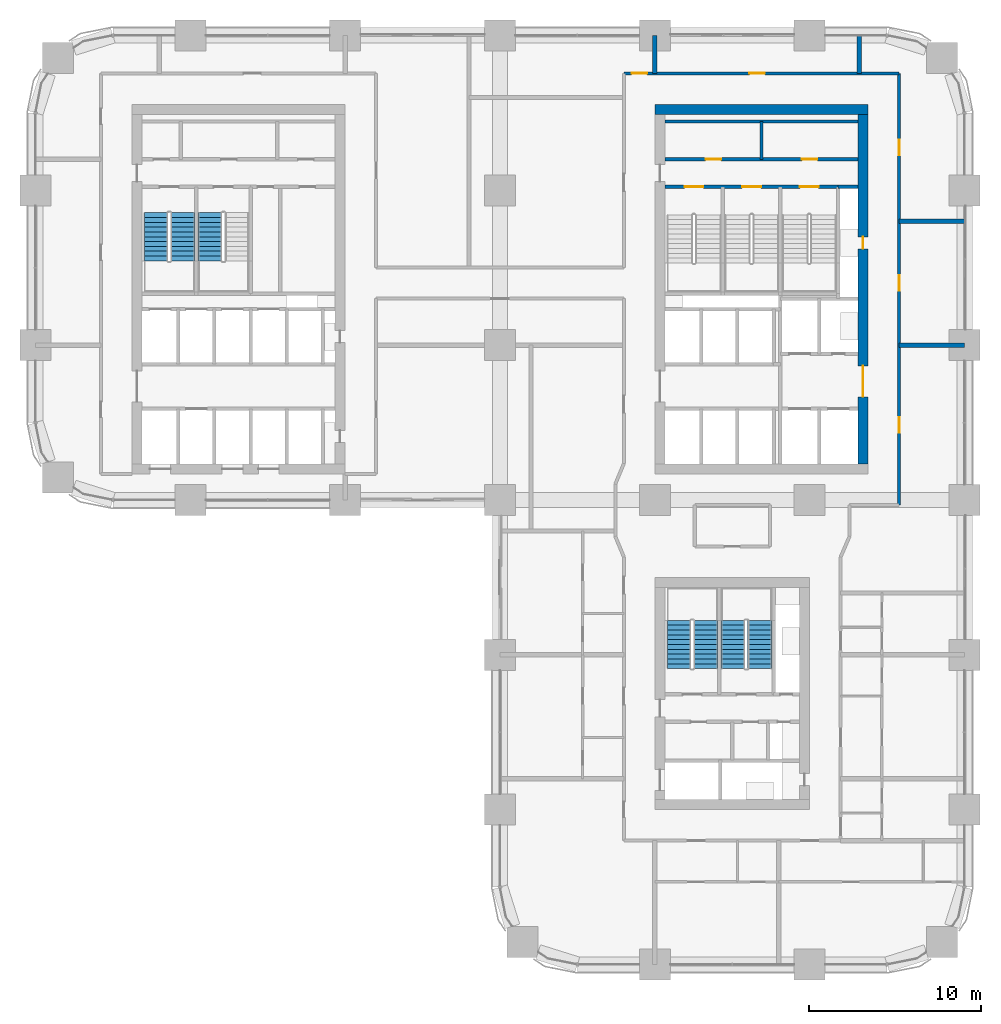
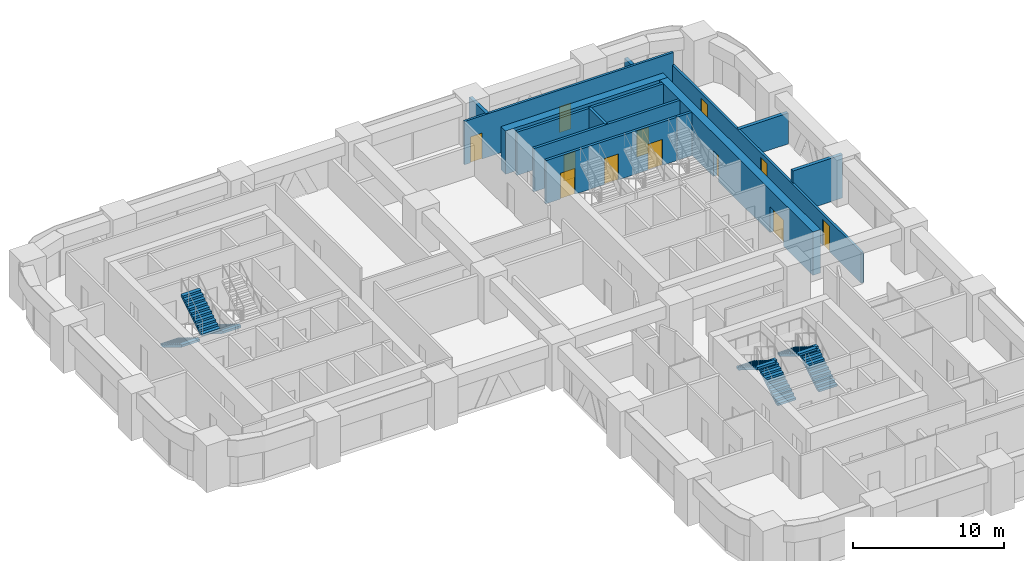
# One storey, part 17 of 24: 13 walls, 12 doors, 7 stair flights, 12 openings, 4 elements without a shape of their own.
"""IFC4 building model written with IfcOpenShell, lengths in metres."""

from ifc_helpers import new_model, si_unit, direction, frame, frame_2d, origin, place, context, subcontext, project, spatial, polyline, rectangle, outline, extrude, material, layer, layer_set, type_object, element, fill, aggregate, save


model = new_model("IFC4")

# Units and contexts
model_context = context("Model", 3, precision=1e-05, world=origin(), true_north=direction((0.0, 1.0)))
body_context = subcontext(model_context, "Body", "Model", "MODEL_VIEW")
ifc_project = project(units=[si_unit("LENGTHUNIT", "METRE"), si_unit("AREAUNIT", "SQUARE_METRE"), si_unit("VOLUMEUNIT", "CUBIC_METRE"), si_unit("PLANEANGLEUNIT", "RADIAN"), si_unit("MASSUNIT", "GRAM", prefix="KILO")], contexts=[model_context])

# Site, building, storey
site_placement = place(None, origin())
site = spatial("IfcSite", under=ifc_project, at=site_placement, CompositionType="ELEMENT")
building_placement = place(site_placement, origin())
building = spatial("IfcBuilding", under=site, at=building_placement, Name="Tessera Arch", CompositionType="ELEMENT")
storey_placement = place(building_placement, frame((0.0, 0.0, 112.0)))
storey = spatial("IfcBuildingStorey", under=building, at=storey_placement, Name="L26", CompositionType="ELEMENT", Elevation=112.0)

# Wall
ifc_material_1 = material(Name="Gypsum board on steel stud", Category="steel")
ifc_layer_1 = layer(ifc_material_1, 0.125)
ifc_layer_set_1 = layer_set([ifc_layer_1], Name="Core partition 125 EI 60")
wall_type_1 = type_object("IfcWallType", Name="Core partition 125 EI 60", PredefinedType="PARTITIONING", material=ifc_layer_set_1)
wall_1_placement = place(storey_placement, frame((42.199951171875, 46.800048828125, 0.0), z_axis=(0.0, 0.0, 1.0), x_axis=(0.0, 1.0, 0.0)))
element("IfcWall", 1, at=wall_1_placement, inside=storey, type_object=wall_type_1, Name="L26 C1 partition wall 7", PredefinedType="PARTITIONING", context=body_context, shape_type="SweptSolid", body=[
    extrude(rectangle(XDim=2.199951171875, YDim=0.199951171875, at=frame_2d((1.10009765625, 0.0))), origin(), (0.0, 0.0, 1.0), 3.5),
])

# Wall, openings, doors
wall_2_placement = place(storey_placement, frame((36.60009765625, 46.800048828125, 0.0), z_axis=(0.0, 0.0, 1.0), x_axis=(1.0, 0.0, 0.0)))
wall_2 = element("IfcWall", 2, at=wall_2_placement, inside=storey, type_object=wall_type_1, Name="L26 C1 partition wall 31", PredefinedType="PARTITIONING", context=body_context, shape_type="SweptSolid", body=[
    extrude(rectangle(XDim=11.199951171875, YDim=0.199951171875, at=frame_2d((5.60009765625, 0.0))), origin(), (0.0, 0.0, 1.0), 3.5),
])
opening_1_placement = place(wall_2_placement, frame((2.35009765625, 0.0, 0.0)))
opening_1 = element("IfcOpeningElement", 3, at=opening_1_placement, cuts=wall_2, Name="Opening L26-C12", PredefinedType="OPENING", context=body_context, shape_type="SweptSolid", body=[
    extrude(rectangle(XDim=0.89990234375, YDim=2.10009765625, at=frame_2d((0.449951171875, 1.050048828125))), frame((0.0, 0.10986328125, 0.0), z_axis=(0.0, -1.0, 0.0), x_axis=(1.0, 0.0, 0.0)), (0.0, 0.0, 1.0), 0.219970703125),
])
opening_2_placement = place(wall_2_placement, frame((7.949951171875, 0.0, 0.0)))
opening_2 = element("IfcOpeningElement", 4, at=opening_2_placement, cuts=wall_2, Name="Opening L26-C13", PredefinedType="OPENING", context=body_context, shape_type="SweptSolid", body=[
    extrude(rectangle(XDim=0.89990234375, YDim=2.10009765625, at=frame_2d((0.449951171875, 1.050048828125))), frame((0.0, 0.10986328125, 0.0), z_axis=(0.0, -1.0, 0.0), x_axis=(1.0, 0.0, 0.0)), (0.0, 0.0, 1.0), 0.219970703125),
])
ifc_material_2 = material(Name="Steel door leaf", Category="steel")
door_type_1 = type_object("IfcDoorType", Name="Store door FD30S 900 x 2100", OperationType="SINGLE_SWING_LEFT", PredefinedType="DOOR", material=ifc_material_2)
door_1_placement = place(opening_1_placement, origin())
door_1 = element("IfcDoor", 5, at=door_1_placement, inside=storey, type_object=door_type_1, Name="L26 C1 door 12 C12 type D09", OperationType="SINGLE_SWING_LEFT", OverallHeight=2.10009765625, OverallWidth=0.89990234375, PredefinedType="DOOR", context=body_context, shape_type="SweptSolid", body=[
    extrude(rectangle(XDim=0.89990234375, YDim=2.10009765625, at=frame_2d((0.449951171875, 1.050048828125))), frame((0.0, 0.02490234375, 0.0), z_axis=(0.0, -1.0, 0.0), x_axis=(1.0, 0.0, 0.0)), (0.0, 0.0, 1.0), 0.050048828125),
])
fill(opening_1, door_1)
door_2_placement = place(opening_2_placement, origin())
door_2 = element("IfcDoor", 6, at=door_2_placement, inside=storey, type_object=door_type_1, Name="L26 C1 door 13 C13 type D09", OperationType="SINGLE_SWING_RIGHT", OverallHeight=2.10009765625, OverallWidth=0.89990234375, PredefinedType="DOOR", context=body_context, shape_type="SweptSolid", body=[
    extrude(rectangle(XDim=0.89990234375, YDim=2.10009765625, at=frame_2d((0.449951171875, 1.050048828125))), frame((0.0, 0.02490234375, 0.0), z_axis=(0.0, -1.0, 0.0), x_axis=(1.0, 0.0, 0.0)), (0.0, 0.0, 1.0), 0.050048828125),
])
fill(opening_2, door_2)

# Walls
wall_3_placement = place(storey_placement, frame((36.60009765625, 49.0, 0.0), z_axis=(0.0, 0.0, 1.0), x_axis=(1.0, 0.0, 0.0)))
element("IfcWall", 7, at=wall_3_placement, inside=storey, type_object=wall_type_1, Name="L26 C1 partition wall 32", PredefinedType="PARTITIONING", context=body_context, shape_type="SweptSolid", body=[
    extrude(rectangle(XDim=11.199951171875, YDim=0.199951171875, at=frame_2d((5.60009765625, 0.0))), origin(), (0.0, 0.0, 1.0), 3.5),
])
ifc_material_3 = material(Name="Concrete C70/85", Category="concrete")
ifc_layer_2 = layer(ifc_material_3, 0.60009765625)
ifc_layer_set_2 = layer_set([ifc_layer_2], Name="Core shell wall 600 C70-85")
wall_type_2 = type_object("IfcWallType", Name="Core shell wall 600 C70-85", PredefinedType="SHEAR", material=ifc_layer_set_2)
wall_4_placement = place(storey_placement, frame((36.0, 49.699951171875, 0.0), z_axis=(0.0, 0.0, 1.0), x_axis=(1.0, 0.0, 0.0)))
element("IfcWall", 8, at=wall_4_placement, inside=storey, type_object=wall_type_2, Name="L26 C1 core wall N", PredefinedType="SHEAR", context=body_context, shape_type="SweptSolid", body=[
    extrude(rectangle(XDim=12.39990234375, YDim=0.60009765625, at=frame_2d((6.199951171875, 0.0))), origin(), (0.0, 0.0, 1.0), 3.5),
])

# Wall, openings, doors
wall_5_placement = place(storey_placement, frame((48.10009765625, 29.10009765625, 0.0), z_axis=(0.0, 0.0, 1.0), x_axis=(0.0, 1.0, 0.0)))
wall_5 = element("IfcWall", 9, at=wall_5_placement, inside=storey, type_object=wall_type_2, Name="L26 C1 core wall E", PredefinedType="SHEAR", context=body_context, shape_type="SweptSolid", body=[
    extrude(rectangle(XDim=20.2998046875, YDim=0.60009765625, at=frame_2d((10.14990234375, 0.0))), origin(), (0.0, 0.0, 1.0), 3.5),
])
opening_3_placement = place(wall_5_placement, frame((12.5, 0.0, 0.0)))
opening_3 = element("IfcOpeningElement", 10, at=opening_3_placement, cuts=wall_5, Name="Opening L26-C08", PredefinedType="OPENING", context=body_context, shape_type="SweptSolid", body=[
    extrude(rectangle(XDim=0.699951171875, YDim=2.10009765625, at=frame_2d((0.35009765625, 1.050048828125))), frame((0.0, 0.31005859375, 0.0), z_axis=(0.0, -1.0, 0.0), x_axis=(1.0, 0.0, 0.0)), (0.0, 0.0, 1.0), 0.6201171875),
])
opening_4_placement = place(wall_5_placement, frame((3.89990234375, 0.0, 0.0)))
opening_4 = element("IfcOpeningElement", 11, at=opening_4_placement, cuts=wall_5, Name="Opening L26-C09", PredefinedType="OPENING", context=body_context, shape_type="SweptSolid", body=[
    extrude(rectangle(XDim=1.800048828125, YDim=2.10009765625, at=frame_2d((0.89990234375, 1.050048828125))), frame((0.0, 0.31005859375, 0.0), z_axis=(0.0, -1.0, 0.0), x_axis=(1.0, 0.0, 0.0)), (0.0, 0.0, 1.0), 0.6201171875),
])
ifc_material_4 = material(Name="Glazed steel door leaf", Category="steel")
door_type_2 = type_object("IfcDoorType", Name="Lobby double door FD60 1800 x 2100", OperationType="DOUBLE_DOOR_SINGLE_SWING", PredefinedType="DOOR", material=ifc_material_4)
door_3_placement = place(opening_4_placement, origin())
door_3 = element("IfcDoor", 12, at=door_3_placement, inside=storey, type_object=door_type_2, Name="L26 C1 door 9 C09 type D19", OperationType="DOUBLE_DOOR_SINGLE_SWING", OverallHeight=2.10009765625, OverallWidth=1.800048828125, PredefinedType="DOOR", context=body_context, shape_type="SweptSolid", body=[
    extrude(rectangle(XDim=1.800048828125, YDim=2.10009765625, at=frame_2d((0.89990234375, 1.050048828125))), frame((0.0, 0.02490234375, 0.0), z_axis=(0.0, -1.0, 0.0), x_axis=(1.0, 0.0, 0.0)), (0.0, 0.0, 1.0), 0.050048828125),
])
fill(opening_4, door_3)
ifc_material_5 = material(Name="Steel door leaf", Category="steel")
door_type_3 = type_object("IfcDoorType", Name="Service shaft door FD60 700 x 2100", OperationType="SINGLE_SWING_LEFT", PredefinedType="DOOR", material=ifc_material_5)
door_4_placement = place(opening_3_placement, origin())
door_4 = element("IfcDoor", 13, at=door_4_placement, inside=storey, type_object=door_type_3, Name="L26 C1 door 8 C08 type D07", OperationType="SINGLE_SWING_RIGHT", OverallHeight=2.10009765625, OverallWidth=0.699951171875, PredefinedType="DOOR", context=body_context, shape_type="SweptSolid", body=[
    extrude(rectangle(XDim=0.699951171875, YDim=2.10009765625, at=frame_2d((0.35009765625, 1.050048828125))), frame((0.0, 0.02490234375, 0.0), z_axis=(0.0, -1.0, 0.0), x_axis=(1.0, 0.0, 0.0)), (0.0, 0.0, 1.0), 0.050048828125),
])
fill(opening_3, door_4)

ifc_material_6 = material(Name="Gypsum board on deep steel stud with mineral wool", Category="steel")
ifc_layer_3 = layer(ifc_material_6, 0.175048828125)
ifc_layer_set_3 = layer_set([ifc_layer_3], Name="Corridor wall 175 EI 60")
wall_type_3 = type_object("IfcWallType", Name="Corridor wall 175 EI 60", PredefinedType="PARTITIONING", material=ifc_layer_set_3)
wall_6_placement = place(storey_placement, frame((34.199951171875, 51.800048828125, 0.0), z_axis=(0.0, 0.0, 1.0), x_axis=(1.0, 0.0, 0.0)))
wall_6 = element("IfcWall", 14, at=wall_6_placement, inside=storey, type_object=wall_type_3, Name="L26 partition 10", PredefinedType="PARTITIONING", context=body_context, shape_type="SweptSolid", body=[
    extrude(rectangle(XDim=16.0, YDim=0.175048828125, at=frame_2d((8.0, 0.0))), origin(), (0.0, 0.0, 1.0), 3.5),
])
opening_5_placement = place(wall_6_placement, frame((0.449951171875, 0.0, 0.0)))
opening_5 = element("IfcOpeningElement", 15, at=opening_5_placement, cuts=wall_6, Name="Opening L26-D035", PredefinedType="OPENING", context=body_context, shape_type="SweptSolid", body=[
    extrude(rectangle(XDim=0.89990234375, YDim=2.10009765625, at=frame_2d((0.449951171875, 1.050048828125))), frame((0.0, 0.097412109375, 0.0), z_axis=(0.0, -1.0, 0.0), x_axis=(1.0, 0.0, 0.0)), (0.0, 0.0, 1.0), 0.195068359375),
])
opening_6_placement = place(wall_6_placement, frame((7.288818359375, 0.0, 0.0)))
opening_6 = element("IfcOpeningElement", 16, at=opening_6_placement, cuts=wall_6, Name="Opening L26-D037", PredefinedType="OPENING", context=body_context, shape_type="SweptSolid", body=[
    extrude(rectangle(XDim=0.89990234375, YDim=2.10009765625, at=frame_2d((0.449951171875, 1.050048828125))), frame((0.0, 0.097412109375, 0.0), z_axis=(0.0, -1.0, 0.0), x_axis=(1.0, 0.0, 0.0)), (0.0, 0.0, 1.0), 0.195068359375),
])
ifc_material_7 = material(Name="Timber door leaf", Category="wood")
door_type_4 = type_object("IfcDoorType", Name="Room door 900 x 2100", OperationType="SINGLE_SWING_LEFT", PredefinedType="DOOR", material=ifc_material_7)
door_5_placement = place(opening_5_placement, origin())
door_5 = element("IfcDoor", 17, at=door_5_placement, inside=storey, type_object=door_type_4, Name="L26 door D035 type D01", OperationType="SINGLE_SWING_LEFT", OverallHeight=2.10009765625, OverallWidth=0.89990234375, PredefinedType="DOOR", context=body_context, shape_type="SweptSolid", body=[
    extrude(rectangle(XDim=0.89990234375, YDim=2.10009765625, at=frame_2d((0.449951171875, 1.050048828125))), frame((0.0, 0.02490234375, 0.0), z_axis=(0.0, -1.0, 0.0), x_axis=(1.0, 0.0, 0.0)), (0.0, 0.0, 1.0), 0.050048828125),
])
fill(opening_5, door_5)
door_6_placement = place(opening_6_placement, origin())
door_6 = element("IfcDoor", 18, at=door_6_placement, inside=storey, type_object=door_type_4, Name="L26 door D037 type D01", OperationType="SINGLE_SWING_LEFT", OverallHeight=2.10009765625, OverallWidth=0.89990234375, PredefinedType="DOOR", context=body_context, shape_type="SweptSolid", body=[
    extrude(rectangle(XDim=0.89990234375, YDim=2.10009765625, at=frame_2d((0.449951171875, 1.050048828125))), frame((0.0, 0.02490234375, 0.0), z_axis=(0.0, -1.0, 0.0), x_axis=(1.0, 0.0, 0.0)), (0.0, 0.0, 1.0), 0.050048828125),
])
fill(opening_6, door_6)

wall_7_placement = place(storey_placement, frame((50.199951171875, 26.699951171875, 0.0), z_axis=(0.0, 0.0, 1.0), x_axis=(0.0, 1.0, 0.0)))
wall_7 = element("IfcWall", 19, at=wall_7_placement, inside=storey, type_object=wall_type_3, Name="L26 partition 22", PredefinedType="PARTITIONING", context=body_context, shape_type="SweptSolid", body=[
    extrude(rectangle(XDim=25.10009765625, YDim=0.175048828125, at=frame_2d((12.550048828125, 0.0))), origin(), (0.0, 0.0, 1.0), 2.5),
])
opening_7_placement = place(wall_7_placement, frame((4.199951171875, 0.0, 0.0)))
opening_7 = element("IfcOpeningElement", 20, at=opening_7_placement, cuts=wall_7, Name="Opening L26-D024", PredefinedType="OPENING", context=body_context, shape_type="SweptSolid", body=[
    extrude(rectangle(XDim=0.89990234375, YDim=2.10009765625, at=frame_2d((0.449951171875, 1.050048828125))), frame((0.0, 0.097412109375, 0.0), z_axis=(0.0, -1.0, 0.0), x_axis=(1.0, 0.0, 0.0)), (0.0, 0.0, 1.0), 0.195068359375),
])
opening_8_placement = place(wall_7_placement, frame((12.449951171875, 0.0, 0.0)))
opening_8 = element("IfcOpeningElement", 21, at=opening_8_placement, cuts=wall_7, Name="Opening L26-D029", PredefinedType="OPENING", context=body_context, shape_type="SweptSolid", body=[
    extrude(rectangle(XDim=0.89990234375, YDim=2.10009765625, at=frame_2d((0.449951171875, 1.050048828125))), frame((0.0, 0.097412109375, 0.0), z_axis=(0.0, -1.0, 0.0), x_axis=(1.0, 0.0, 0.0)), (0.0, 0.0, 1.0), 0.195068359375),
])
opening_9_placement = place(wall_7_placement, frame((20.35009765625, 0.0, 0.0)))
opening_9 = element("IfcOpeningElement", 22, at=opening_9_placement, cuts=wall_7, Name="Opening L26-D033", PredefinedType="OPENING", context=body_context, shape_type="SweptSolid", body=[
    extrude(rectangle(XDim=0.89990234375, YDim=2.10009765625, at=frame_2d((0.449951171875, 1.050048828125))), frame((0.0, 0.097412109375, 0.0), z_axis=(0.0, -1.0, 0.0), x_axis=(1.0, 0.0, 0.0)), (0.0, 0.0, 1.0), 0.195068359375),
])
door_7_placement = place(opening_7_placement, origin())
door_7 = element("IfcDoor", 23, at=door_7_placement, inside=storey, type_object=door_type_4, Name="L26 door D024 type D01", OperationType="SINGLE_SWING_LEFT", OverallHeight=2.10009765625, OverallWidth=0.89990234375, PredefinedType="DOOR", context=body_context, shape_type="SweptSolid", body=[
    extrude(rectangle(XDim=0.89990234375, YDim=2.10009765625, at=frame_2d((0.449951171875, 1.050048828125))), frame((0.0, 0.02490234375, 0.0), z_axis=(0.0, -1.0, 0.0), x_axis=(1.0, 0.0, 0.0)), (0.0, 0.0, 1.0), 0.050048828125),
])
fill(opening_7, door_7)
door_8_placement = place(opening_8_placement, origin())
door_8 = element("IfcDoor", 24, at=door_8_placement, inside=storey, type_object=door_type_4, Name="L26 door D029 type D01", OperationType="SINGLE_SWING_RIGHT", OverallHeight=2.10009765625, OverallWidth=0.89990234375, PredefinedType="DOOR", context=body_context, shape_type="SweptSolid", body=[
    extrude(rectangle(XDim=0.89990234375, YDim=2.10009765625, at=frame_2d((0.449951171875, 1.050048828125))), frame((0.0, 0.02490234375, 0.0), z_axis=(0.0, -1.0, 0.0), x_axis=(1.0, 0.0, 0.0)), (0.0, 0.0, 1.0), 0.050048828125),
])
fill(opening_8, door_8)
door_9_placement = place(opening_9_placement, origin())
door_9 = element("IfcDoor", 25, at=door_9_placement, inside=storey, type_object=door_type_4, Name="L26 door D033 type D01", OperationType="SINGLE_SWING_RIGHT", OverallHeight=2.10009765625, OverallWidth=0.89990234375, PredefinedType="DOOR", context=body_context, shape_type="SweptSolid", body=[
    extrude(rectangle(XDim=0.89990234375, YDim=2.10009765625, at=frame_2d((0.449951171875, 1.050048828125))), frame((0.0, 0.02490234375, 0.0), z_axis=(0.0, -1.0, 0.0), x_axis=(1.0, 0.0, 0.0)), (0.0, 0.0, 1.0), 0.050048828125),
])
fill(opening_9, door_9)

# Walls
ifc_material_8 = material(Name="Double gypsum board on twin steel stud with acoustic mineral wool", Category="steel")
ifc_layer_4 = layer(ifc_material_8, 0.25)
ifc_layer_set_4 = layer_set([ifc_layer_4], Name="Party wall 250 EI 60")
wall_type_4 = type_object("IfcWallType", Name="Party wall 250 EI 60", PredefinedType="PARTITIONING", material=ifc_layer_set_4)
wall_8_placement = place(storey_placement, frame((50.199951171875, 36.0, 0.0), z_axis=(0.0, 0.0, 1.0), x_axis=(1.0, 0.0, 0.0)))
element("IfcWall", 26, at=wall_8_placement, inside=storey, type_object=wall_type_4, Name="L26 partition 39", PredefinedType="PARTITIONING", context=body_context, shape_type="SweptSolid", body=[
    extrude(rectangle(XDim=3.800048828125, YDim=0.25, at=frame_2d((1.89990234375, 0.0))), origin(), (0.0, 0.0, 1.0), 3.5),
])
wall_9_placement = place(storey_placement, frame((50.199951171875, 43.199951171875, 0.0), z_axis=(0.0, 0.0, 1.0), x_axis=(1.0, 0.0, 0.0)))
element("IfcWall", 27, at=wall_9_placement, inside=storey, type_object=wall_type_4, Name="L26 partition 40", PredefinedType="PARTITIONING", context=body_context, shape_type="SweptSolid", body=[
    extrude(rectangle(XDim=3.800048828125, YDim=0.25, at=frame_2d((1.89990234375, 0.0))), origin(), (0.0, 0.0, 1.0), 2.5),
])
wall_10_placement = place(storey_placement, frame((36.0, 51.800048828125, 0.0), z_axis=(0.0, 0.0, 1.0), x_axis=(0.0, 1.0, 0.0)))
element("IfcWall", 28, at=wall_10_placement, inside=storey, type_object=wall_type_4, Name="L26 partition 49", PredefinedType="PARTITIONING", context=body_context, shape_type="SweptSolid", body=[
    extrude(rectangle(XDim=2.199951171875, YDim=0.25, at=frame_2d((1.10009765625, 0.0))), origin(), (0.0, 0.0, 1.0), 3.5),
])
wall_11_placement = place(storey_placement, frame((47.876953125, 51.800048828125, 0.0), z_axis=(0.0, 0.0, 1.0), x_axis=(0.0, 1.0, 0.0)))
element("IfcWall", 29, at=wall_11_placement, inside=storey, type_object=wall_type_4, Name="L26 partition 51", PredefinedType="PARTITIONING", context=body_context, shape_type="SweptSolid", body=[
    extrude(rectangle(XDim=2.199951171875, YDim=0.25, at=frame_2d((1.10009765625, 0.0))), origin(), (0.0, 0.0, 1.0), 2.5),
])
ifc_material_9 = material(Name="Concrete C40/50", Category="concrete")
ifc_layer_5 = layer(ifc_material_9, 0.199951171875)
ifc_layer_set_5 = layer_set([ifc_layer_5], Name="Shaft wall 200 EI 120")
wall_type_5 = type_object("IfcWallType", Name="Shaft wall 200 EI 120", PredefinedType="SOLIDWALL", material=ifc_layer_set_5)
wall_12_placement = place(storey_placement, frame((46.64990234375, 45.199951171875, 0.0), z_axis=(0.0, 0.0, 1.0), x_axis=(1.0, 0.0, 0.0)))
element("IfcWall", 30, at=wall_12_placement, inside=storey, type_object=wall_type_5, Name="L26 C1 shaft wall 29", PredefinedType="SOLIDWALL", context=body_context, shape_type="SweptSolid", body=[
    extrude(rectangle(XDim=1.150146484375, YDim=0.199951171875, at=frame_2d((0.5751953125, 0.0))), origin(), (0.0, 0.0, 1.0), 3.5),
])

# Wall, openings, doors
ifc_material_10 = material(Name="Concrete C40/50", Category="concrete")
ifc_layer_6 = layer(ifc_material_10, 0.199951171875)
ifc_layer_set_6 = layer_set([ifc_layer_6], Name="Stair well wall 200 REI 180")
wall_type_6 = type_object("IfcWallType", Name="Stair well wall 200 REI 180", PredefinedType="SOLIDWALL", material=ifc_layer_set_6)
wall_13_placement = place(storey_placement, frame((36.60009765625, 45.199951171875, 0.0), z_axis=(0.0, 0.0, 1.0), x_axis=(1.0, 0.0, 0.0)))
wall_13 = element("IfcWall", 31, at=wall_13_placement, inside=storey, type_object=wall_type_6, Name="L26 C1 shaft wall 30", PredefinedType="SOLIDWALL", context=body_context, shape_type="SweptSolid", body=[
    extrude(rectangle(XDim=10.0498046875, YDim=0.199951171875, at=frame_2d((5.02490234375, 0.0))), origin(), (0.0, 0.0, 1.0), 3.5),
])
opening_10_placement = place(wall_13_placement, frame((1.125, 0.0, 0.0)))
opening_10 = element("IfcOpeningElement", 32, at=opening_10_placement, cuts=wall_13, Name="Opening L26-C05", PredefinedType="OPENING", context=body_context, shape_type="SweptSolid", body=[
    extrude(rectangle(XDim=1.10009765625, YDim=2.10009765625, at=frame_2d((0.550048828125, 1.050048828125))), frame((0.0, 0.10986328125, 0.0), z_axis=(0.0, -1.0, 0.0), x_axis=(1.0, 0.0, 0.0)), (0.0, 0.0, 1.0), 0.219970703125),
])
opening_11_placement = place(wall_13_placement, frame((4.47509765625, 0.0, 0.0)))
opening_11 = element("IfcOpeningElement", 33, at=opening_11_placement, cuts=wall_13, Name="Opening L26-C06", PredefinedType="OPENING", context=body_context, shape_type="SweptSolid", body=[
    extrude(rectangle(XDim=1.10009765625, YDim=2.10009765625, at=frame_2d((0.550048828125, 1.050048828125))), frame((0.0, 0.10986328125, 0.0), z_axis=(0.0, -1.0, 0.0), x_axis=(1.0, 0.0, 0.0)), (0.0, 0.0, 1.0), 0.219970703125),
])
opening_12_placement = place(wall_13_placement, frame((7.824951171875, 0.0, 0.0)))
opening_12 = element("IfcOpeningElement", 34, at=opening_12_placement, cuts=wall_13, Name="Opening L26-C07", PredefinedType="OPENING", context=body_context, shape_type="SweptSolid", body=[
    extrude(rectangle(XDim=1.10009765625, YDim=2.10009765625, at=frame_2d((0.550048828125, 1.050048828125))), frame((0.0, 0.10986328125, 0.0), z_axis=(0.0, -1.0, 0.0), x_axis=(1.0, 0.0, 0.0)), (0.0, 0.0, 1.0), 0.219970703125),
])
ifc_material_11 = material(Name="Steel door leaf", Category="steel")
door_type_5 = type_object("IfcDoorType", Name="Stair door FD60 1100 x 2100", OperationType="SINGLE_SWING_LEFT", PredefinedType="DOOR", material=ifc_material_11)
door_10_placement = place(opening_10_placement, origin())
door_10 = element("IfcDoor", 35, at=door_10_placement, inside=storey, type_object=door_type_5, Name="L26 C1 door 5 C05 type D05", OperationType="SINGLE_SWING_LEFT", OverallHeight=2.10009765625, OverallWidth=1.10009765625, PredefinedType="DOOR", context=body_context, shape_type="SweptSolid", body=[
    extrude(rectangle(XDim=1.10009765625, YDim=2.10009765625, at=frame_2d((0.550048828125, 1.050048828125))), frame((0.0, 0.02490234375, 0.0), z_axis=(0.0, -1.0, 0.0), x_axis=(1.0, 0.0, 0.0)), (0.0, 0.0, 1.0), 0.050048828125),
])
fill(opening_10, door_10)
door_11_placement = place(opening_11_placement, origin())
door_11 = element("IfcDoor", 36, at=door_11_placement, inside=storey, type_object=door_type_5, Name="L26 C1 door 6 C06 type D05", OperationType="SINGLE_SWING_RIGHT", OverallHeight=2.10009765625, OverallWidth=1.10009765625, PredefinedType="DOOR", context=body_context, shape_type="SweptSolid", body=[
    extrude(rectangle(XDim=1.10009765625, YDim=2.10009765625, at=frame_2d((0.550048828125, 1.050048828125))), frame((0.0, 0.02490234375, 0.0), z_axis=(0.0, -1.0, 0.0), x_axis=(1.0, 0.0, 0.0)), (0.0, 0.0, 1.0), 0.050048828125),
])
fill(opening_11, door_11)
door_12_placement = place(opening_12_placement, origin())
door_12 = element("IfcDoor", 37, at=door_12_placement, inside=storey, type_object=door_type_5, Name="L26 C1 door 7 C07 type D05", OperationType="SINGLE_SWING_RIGHT", OverallHeight=2.10009765625, OverallWidth=1.10009765625, PredefinedType="DOOR", context=body_context, shape_type="SweptSolid", body=[
    extrude(rectangle(XDim=1.10009765625, YDim=2.10009765625, at=frame_2d((0.550048828125, 1.050048828125))), frame((0.0, 0.02490234375, 0.0), z_axis=(0.0, -1.0, 0.0), x_axis=(1.0, 0.0, 0.0)), (0.0, 0.0, 1.0), 0.050048828125),
])
fill(opening_12, door_12)

# Stair, stair flights
ifc_material_12 = material(Name="Concrete C40/50", Category="concrete")
stair_type = type_object("IfcStairType", Name="Dogleg stair 1400", PredefinedType="HALF_TURN_STAIR", material=ifc_material_12)
stair_1_placement = place(storey_placement, origin())
stair_1 = element("IfcStair", 38, at=stair_1_placement, inside=storey, type_object=stair_type, Name="L26 S2a", PredefinedType="HALF_TURN_STAIR")
ifc_material_13 = material(Name="Concrete C40/50", Category="concrete")
stair_flight_type = type_object("IfcStairFlightType", Name="Stair flight 1400", PredefinedType="STRAIGHT", material=ifc_material_13)
stair_flight_1_placement = place(storey_placement, frame((7.0, 43.699951171875, 0.0), z_axis=(0.0, 0.0, 1.0), x_axis=(0.0, -1.0, 0.0)))
stair_flight_1 = element("IfcStairFlight", 39, at=stair_flight_1_placement, type_object=stair_flight_type, Name="S2a flight 1", NumberOfRisers=11, NumberOfTreads=10, PredefinedType="STRAIGHT", RiserHeight=0.172727273, TreadLength=0.28, context=body_context, shape_type="SweptSolid", body=[
    extrude(outline(polyline([(0.0, 0.0), (0.0, 0.172607421875), (0.280029296875, 0.172607421875), (0.280029296875, 0.345458984375), (0.56005859375, 0.345458984375), (0.56005859375, 0.51806640625), (0.840087890625, 0.51806640625), (0.840087890625, 0.69091796875), (1.1201171875, 0.69091796875), (1.1201171875, 0.863525390625), (1.39990234375, 0.863525390625), (1.39990234375, 1.036376953125), (1.679931640625, 1.036376953125), (1.679931640625, 1.208984375), (1.9599609375, 1.208984375), (1.9599609375, 1.3818359375), (2.239990234375, 1.3818359375), (2.239990234375, 1.554443359375), (2.52001953125, 1.554443359375), (2.52001953125, 1.727294921875), (2.800048828125, 1.727294921875), (2.800048828125, 1.89990234375), (2.800048828125, 1.551025390625), (0.285400390625, 0.0), (0.0, 0.0)])), frame((0.0, 0.699951171875, 0.0), z_axis=(0.0, -1.0, 0.0), x_axis=(1.0, 0.0, 0.0)), (0.0, 0.0, 1.0), 1.39990234375),
])
stair_flight_2_placement = place(storey_placement, frame((8.550048828125, 40.89990234375, 1.89990234375), z_axis=(0.0, 0.0, 1.0), x_axis=(0.0, 1.0, 0.0)))
stair_flight_2 = element("IfcStairFlight", 40, at=stair_flight_2_placement, type_object=stair_flight_type, Name="S2a flight 2", NumberOfRisers=11, NumberOfTreads=10, PredefinedType="STRAIGHT", RiserHeight=0.172727273, TreadLength=0.28, context=body_context, shape_type="SweptSolid", body=[
    extrude(outline(polyline([(0.0, 0.0), (0.0, 0.172607421875), (0.280029296875, 0.172607421875), (0.280029296875, 0.345458984375), (0.56005859375, 0.345458984375), (0.56005859375, 0.51806640625), (0.840087890625, 0.51806640625), (0.840087890625, 0.69091796875), (1.1201171875, 0.69091796875), (1.1201171875, 0.863525390625), (1.39990234375, 0.863525390625), (1.39990234375, 1.036376953125), (1.679931640625, 1.036376953125), (1.679931640625, 1.208984375), (1.9599609375, 1.208984375), (1.9599609375, 1.3818359375), (2.239990234375, 1.3818359375), (2.239990234375, 1.554443359375), (2.52001953125, 1.554443359375), (2.52001953125, 1.727294921875), (2.800048828125, 1.727294921875), (2.800048828125, 1.89990234375), (2.800048828125, 1.551025390625), (0.285400390625, 0.0), (0.0, 0.0)])), frame((0.0, 0.699951171875, 0.0), z_axis=(0.0, -1.0, 0.0), x_axis=(1.0, 0.0, 0.0)), (0.0, 0.0, 1.0), 1.39990234375),
])
aggregate(stair_1, [stair_flight_1, stair_flight_2])

# Stair, stair flight
stair_2_placement = place(storey_placement, origin())
stair_2 = element("IfcStair", 41, at=stair_2_placement, inside=storey, type_object=stair_type, Name="L26 S2b", PredefinedType="HALF_TURN_STAIR")
stair_flight_3_placement = place(storey_placement, frame((10.14990234375, 43.699951171875, 0.0), z_axis=(0.0, 0.0, 1.0), x_axis=(0.0, -1.0, 0.0)))
stair_flight_3 = element("IfcStairFlight", 42, at=stair_flight_3_placement, type_object=stair_flight_type, Name="S2b flight 1", NumberOfRisers=11, NumberOfTreads=10, PredefinedType="STRAIGHT", RiserHeight=0.172727273, TreadLength=0.28, context=body_context, shape_type="SweptSolid", body=[
    extrude(outline(polyline([(0.0, 0.0), (0.0, 0.172607421875), (0.280029296875, 0.172607421875), (0.280029296875, 0.345458984375), (0.56005859375, 0.345458984375), (0.56005859375, 0.51806640625), (0.840087890625, 0.51806640625), (0.840087890625, 0.69091796875), (1.1201171875, 0.69091796875), (1.1201171875, 0.863525390625), (1.39990234375, 0.863525390625), (1.39990234375, 1.036376953125), (1.679931640625, 1.036376953125), (1.679931640625, 1.208984375), (1.9599609375, 1.208984375), (1.9599609375, 1.3818359375), (2.239990234375, 1.3818359375), (2.239990234375, 1.554443359375), (2.52001953125, 1.554443359375), (2.52001953125, 1.727294921875), (2.800048828125, 1.727294921875), (2.800048828125, 1.89990234375), (2.800048828125, 1.551025390625), (0.285400390625, 0.0), (0.0, 0.0)])), frame((0.0, 0.699951171875, 0.0), z_axis=(0.0, -1.0, 0.0), x_axis=(1.0, 0.0, 0.0)), (0.0, 0.0, 1.0), 1.39990234375),
])
aggregate(stair_2, [stair_flight_3])

# Stair, stair flights
stair_3_placement = place(storey_placement, origin())
stair_3 = element("IfcStair", 43, at=stair_3_placement, inside=storey, type_object=stair_type, Name="L26 S3a", PredefinedType="HALF_TURN_STAIR")
stair_flight_4_placement = place(storey_placement, frame((38.949951171875, 17.199951171875, 0.0), z_axis=(0.0, 0.0, 1.0), x_axis=(0.0, 1.0, 0.0)))
stair_flight_4 = element("IfcStairFlight", 44, at=stair_flight_4_placement, type_object=stair_flight_type, Name="S3a flight 1", NumberOfRisers=11, NumberOfTreads=10, PredefinedType="STRAIGHT", RiserHeight=0.172727273, TreadLength=0.28, context=body_context, shape_type="SweptSolid", body=[
    extrude(outline(polyline([(0.0, 0.0), (0.0, 0.172607421875), (0.280029296875, 0.172607421875), (0.280029296875, 0.345458984375), (0.56005859375, 0.345458984375), (0.56005859375, 0.51806640625), (0.840087890625, 0.51806640625), (0.840087890625, 0.69091796875), (1.1201171875, 0.69091796875), (1.1201171875, 0.863525390625), (1.39990234375, 0.863525390625), (1.39990234375, 1.036376953125), (1.679931640625, 1.036376953125), (1.679931640625, 1.208984375), (1.9599609375, 1.208984375), (1.9599609375, 1.3818359375), (2.239990234375, 1.3818359375), (2.239990234375, 1.554443359375), (2.52001953125, 1.554443359375), (2.52001953125, 1.727294921875), (2.800048828125, 1.727294921875), (2.800048828125, 1.89990234375), (2.800048828125, 1.551025390625), (0.285400390625, 0.0), (0.0, 0.0)])), frame((0.0, 0.699951171875, 0.0), z_axis=(0.0, -1.0, 0.0), x_axis=(1.0, 0.0, 0.0)), (0.0, 0.0, 1.0), 1.39990234375),
])
stair_flight_5_placement = place(storey_placement, frame((37.39990234375, 20.0, 1.89990234375), z_axis=(0.0, 0.0, 1.0), x_axis=(0.0, -1.0, 0.0)))
stair_flight_5 = element("IfcStairFlight", 45, at=stair_flight_5_placement, type_object=stair_flight_type, Name="S3a flight 2", NumberOfRisers=11, NumberOfTreads=10, PredefinedType="STRAIGHT", RiserHeight=0.172727273, TreadLength=0.28, context=body_context, shape_type="SweptSolid", body=[
    extrude(outline(polyline([(0.0, 0.0), (0.0, 0.172607421875), (0.280029296875, 0.172607421875), (0.280029296875, 0.345458984375), (0.56005859375, 0.345458984375), (0.56005859375, 0.51806640625), (0.840087890625, 0.51806640625), (0.840087890625, 0.69091796875), (1.1201171875, 0.69091796875), (1.1201171875, 0.863525390625), (1.39990234375, 0.863525390625), (1.39990234375, 1.036376953125), (1.679931640625, 1.036376953125), (1.679931640625, 1.208984375), (1.9599609375, 1.208984375), (1.9599609375, 1.3818359375), (2.239990234375, 1.3818359375), (2.239990234375, 1.554443359375), (2.52001953125, 1.554443359375), (2.52001953125, 1.727294921875), (2.800048828125, 1.727294921875), (2.800048828125, 1.89990234375), (2.800048828125, 1.551025390625), (0.285400390625, 0.0), (0.0, 0.0)])), frame((0.0, 0.699951171875, 0.0), z_axis=(0.0, -1.0, 0.0), x_axis=(1.0, 0.0, 0.0)), (0.0, 0.0, 1.0), 1.39990234375),
])
aggregate(stair_3, [stair_flight_4, stair_flight_5])

stair_4_placement = place(storey_placement, origin())
stair_4 = element("IfcStair", 46, at=stair_4_placement, inside=storey, type_object=stair_type, Name="L26 S3b", PredefinedType="HALF_TURN_STAIR")
stair_flight_6_placement = place(storey_placement, frame((42.10009765625, 17.199951171875, 0.0), z_axis=(0.0, 0.0, 1.0), x_axis=(0.0, 1.0, 0.0)))
stair_flight_6 = element("IfcStairFlight", 47, at=stair_flight_6_placement, type_object=stair_flight_type, Name="S3b flight 1", NumberOfRisers=11, NumberOfTreads=10, PredefinedType="STRAIGHT", RiserHeight=0.172727273, TreadLength=0.28, context=body_context, shape_type="SweptSolid", body=[
    extrude(outline(polyline([(0.0, 0.0), (0.0, 0.172607421875), (0.280029296875, 0.172607421875), (0.280029296875, 0.345458984375), (0.56005859375, 0.345458984375), (0.56005859375, 0.51806640625), (0.840087890625, 0.51806640625), (0.840087890625, 0.69091796875), (1.1201171875, 0.69091796875), (1.1201171875, 0.863525390625), (1.39990234375, 0.863525390625), (1.39990234375, 1.036376953125), (1.679931640625, 1.036376953125), (1.679931640625, 1.208984375), (1.9599609375, 1.208984375), (1.9599609375, 1.3818359375), (2.239990234375, 1.3818359375), (2.239990234375, 1.554443359375), (2.52001953125, 1.554443359375), (2.52001953125, 1.727294921875), (2.800048828125, 1.727294921875), (2.800048828125, 1.89990234375), (2.800048828125, 1.551025390625), (0.285400390625, 0.0), (0.0, 0.0)])), frame((0.0, 0.699951171875, 0.0), z_axis=(0.0, -1.0, 0.0), x_axis=(1.0, 0.0, 0.0)), (0.0, 0.0, 1.0), 1.39990234375),
])
stair_flight_7_placement = place(storey_placement, frame((40.550048828125, 20.0, 1.89990234375), z_axis=(0.0, 0.0, 1.0), x_axis=(0.0, -1.0, 0.0)))
stair_flight_7 = element("IfcStairFlight", 48, at=stair_flight_7_placement, type_object=stair_flight_type, Name="S3b flight 2", NumberOfRisers=11, NumberOfTreads=10, PredefinedType="STRAIGHT", RiserHeight=0.172727273, TreadLength=0.28, context=body_context, shape_type="SweptSolid", body=[
    extrude(outline(polyline([(0.0, 0.0), (0.0, 0.172607421875), (0.280029296875, 0.172607421875), (0.280029296875, 0.345458984375), (0.56005859375, 0.345458984375), (0.56005859375, 0.51806640625), (0.840087890625, 0.51806640625), (0.840087890625, 0.69091796875), (1.1201171875, 0.69091796875), (1.1201171875, 0.863525390625), (1.39990234375, 0.863525390625), (1.39990234375, 1.036376953125), (1.679931640625, 1.036376953125), (1.679931640625, 1.208984375), (1.9599609375, 1.208984375), (1.9599609375, 1.3818359375), (2.239990234375, 1.3818359375), (2.239990234375, 1.554443359375), (2.52001953125, 1.554443359375), (2.52001953125, 1.727294921875), (2.800048828125, 1.727294921875), (2.800048828125, 1.89990234375), (2.800048828125, 1.551025390625), (0.285400390625, 0.0), (0.0, 0.0)])), frame((0.0, 0.699951171875, 0.0), z_axis=(0.0, -1.0, 0.0), x_axis=(1.0, 0.0, 0.0)), (0.0, 0.0, 1.0), 1.39990234375),
])
aggregate(stair_4, [stair_flight_6, stair_flight_7])

save(model, "model.ifc")
